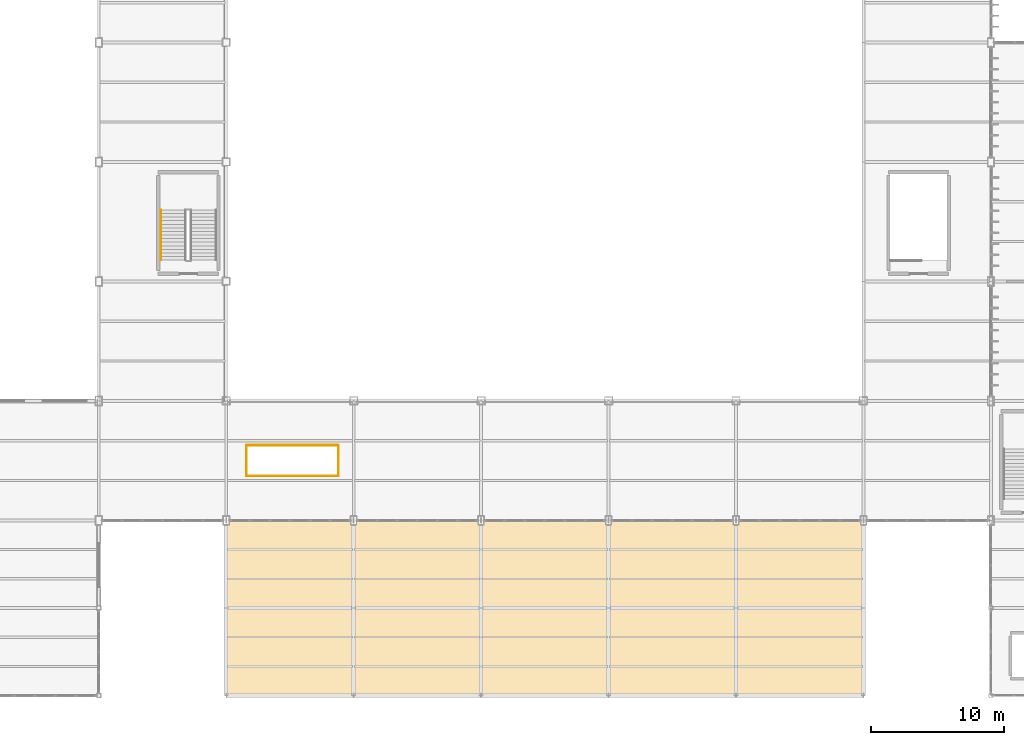
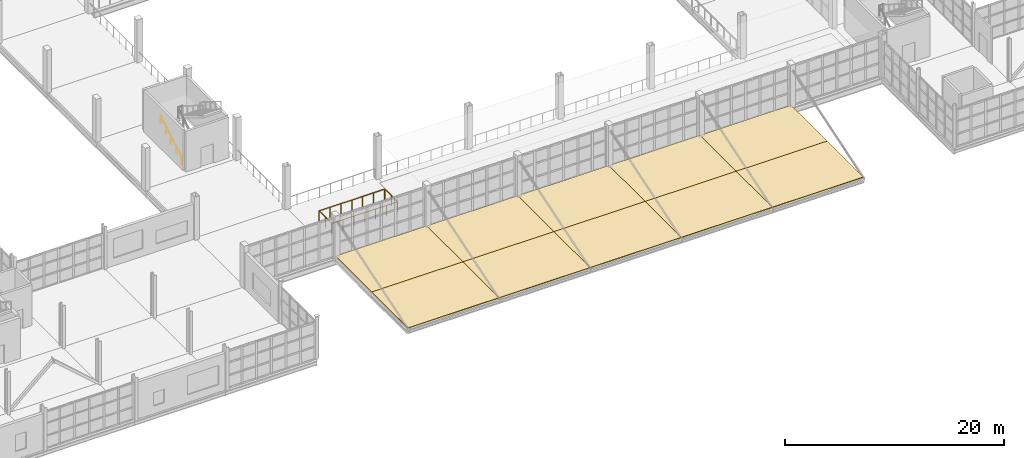
# One storey, part 115 of 120: 10 coverings, 3 railings, 1 element without a shape of its own.
"""IFC4 building model written with IfcOpenShell, lengths in metres."""

from ifc_helpers import new_model, si_unit, direction, frame, origin, origin_2d, place, context, subcontext, project, spatial, polyline, circle, outline, extrude, material, layer, layer_set, type_object, element, aggregate, save


model = new_model("IFC4")

# Units and contexts
model_context = context("Model", 3, precision=1e-05, world=origin(), true_north=direction((0.0, 1.0)))
body_context = subcontext(model_context, "Body", "Model", "MODEL_VIEW")
ifc_project = project(units=[si_unit("LENGTHUNIT", "METRE"), si_unit("AREAUNIT", "SQUARE_METRE"), si_unit("VOLUMEUNIT", "CUBIC_METRE"), si_unit("PLANEANGLEUNIT", "RADIAN"), si_unit("MASSUNIT", "GRAM", prefix="KILO")], contexts=[model_context])

# Site, building, storey
site_placement = place(None, origin())
site = spatial("IfcSite", under=ifc_project, at=site_placement, CompositionType="ELEMENT")
building_placement = place(site_placement, origin())
building = spatial("IfcBuilding", under=site, at=building_placement, Name="Zarnetskaya Central Station", CompositionType="ELEMENT")
storey_placement = place(building_placement, frame((0.0, 0.0, 5.39990234375)))
storey = spatial("IfcBuildingStorey", under=building, at=storey_placement, Name="L01", CompositionType="ELEMENT", Elevation=5.39990234375)

# Roof, coverings
ifc_material_1 = material(Name="Concrete C30/37", Category="concrete")
roof_type = type_object("IfcRoofType", Name="RF-ASSY-FLAT", PredefinedType="FLAT_ROOF", material=ifc_material_1)
roof_placement = place(storey_placement, origin())
roof = element("IfcRoof", 1, at=roof_placement, inside=storey, type_object=roof_type, Name="Forecourt entry canopy roof", PredefinedType="FLAT_ROOF")
ifc_material_2 = material(Name="Standing-seam zinc roof cladding")
ifc_layer = layer(ifc_material_2, 0.06494140625, Name="Standing-seam zinc roof cladding")
ifc_layer_set = layer_set([ifc_layer], Name="Standing-seam zinc roof cladding")
covering_type = type_object("IfcCoveringType", Name="COV-ZINC-ROOF", PredefinedType="ROOFING", material=ifc_layer_set)
covering_1_placement = place(storey_placement, origin())
covering_1 = element("IfcCovering", 2, at=covering_1_placement, type_object=covering_type, Name="Forecourt canopy standing-seam roofing H-J", PredefinedType="ROOFING", context=body_context, shape_type="SweptSolid", body=[
    extrude(outline(polyline([(67.199951171875, 0.0), (76.800048828125, 0.0), (76.800048828125, 6.60009765625), (67.199951171875, 6.60009765625), (67.199951171875, 0.0)])), origin(), (0.0, 0.0, 1.0), 0.065185546875),
])
covering_2_placement = place(storey_placement, origin())
covering_2 = element("IfcCovering", 3, at=covering_2_placement, type_object=covering_type, Name="Forecourt canopy standing-seam roofing H-J", PredefinedType="ROOFING", context=body_context, shape_type="SweptSolid", body=[
    extrude(outline(polyline([(67.199951171875, 6.60009765625), (76.800048828125, 6.60009765625), (76.800048828125, 13.199951171875), (67.199951171875, 13.199951171875), (67.199951171875, 6.60009765625)])), origin(), (0.0, 0.0, 1.0), 0.065185546875),
])
covering_3_placement = place(storey_placement, origin())
covering_3 = element("IfcCovering", 4, at=covering_3_placement, type_object=covering_type, Name="Forecourt canopy standing-seam roofing J-K", PredefinedType="ROOFING", context=body_context, shape_type="SweptSolid", body=[
    extrude(outline(polyline([(76.800048828125, 0.0), (86.39990234375, 0.0), (86.39990234375, 6.60009765625), (76.800048828125, 6.60009765625), (76.800048828125, 0.0)])), origin(), (0.0, 0.0, 1.0), 0.065185546875),
])
covering_4_placement = place(storey_placement, origin())
covering_4 = element("IfcCovering", 5, at=covering_4_placement, type_object=covering_type, Name="Forecourt canopy standing-seam roofing J-K", PredefinedType="ROOFING", context=body_context, shape_type="SweptSolid", body=[
    extrude(outline(polyline([(76.800048828125, 6.60009765625), (86.39990234375, 6.60009765625), (86.39990234375, 13.199951171875), (76.800048828125, 13.199951171875), (76.800048828125, 6.60009765625)])), origin(), (0.0, 0.0, 1.0), 0.065185546875),
])
covering_5_placement = place(storey_placement, origin())
covering_5 = element("IfcCovering", 6, at=covering_5_placement, type_object=covering_type, Name="Forecourt canopy standing-seam roofing K-L", PredefinedType="ROOFING", context=body_context, shape_type="SweptSolid", body=[
    extrude(outline(polyline([(86.39990234375, 0.0), (96.0, 0.0), (96.0, 6.60009765625), (86.39990234375, 6.60009765625), (86.39990234375, 0.0)])), origin(), (0.0, 0.0, 1.0), 0.065185546875),
])
covering_6_placement = place(storey_placement, origin())
covering_6 = element("IfcCovering", 7, at=covering_6_placement, type_object=covering_type, Name="Forecourt canopy standing-seam roofing K-L", PredefinedType="ROOFING", context=body_context, shape_type="SweptSolid", body=[
    extrude(outline(polyline([(86.39990234375, 6.60009765625), (96.0, 6.60009765625), (96.0, 13.199951171875), (86.39990234375, 13.199951171875), (86.39990234375, 6.60009765625)])), origin(), (0.0, 0.0, 1.0), 0.065185546875),
])
covering_7_placement = place(storey_placement, origin())
covering_7 = element("IfcCovering", 8, at=covering_7_placement, type_object=covering_type, Name="Forecourt canopy standing-seam roofing L-M", PredefinedType="ROOFING", context=body_context, shape_type="SweptSolid", body=[
    extrude(outline(polyline([(96.0, 0.0), (105.60009765625, 0.0), (105.60009765625, 6.60009765625), (96.0, 6.60009765625), (96.0, 0.0)])), origin(), (0.0, 0.0, 1.0), 0.065185546875),
])
covering_8_placement = place(storey_placement, origin())
covering_8 = element("IfcCovering", 9, at=covering_8_placement, type_object=covering_type, Name="Forecourt canopy standing-seam roofing L-M", PredefinedType="ROOFING", context=body_context, shape_type="SweptSolid", body=[
    extrude(outline(polyline([(96.0, 6.60009765625), (105.60009765625, 6.60009765625), (105.60009765625, 13.199951171875), (96.0, 13.199951171875), (96.0, 6.60009765625)])), origin(), (0.0, 0.0, 1.0), 0.065185546875),
])
covering_9_placement = place(storey_placement, origin())
covering_9 = element("IfcCovering", 10, at=covering_9_placement, type_object=covering_type, Name="Forecourt canopy standing-seam roofing M-N", PredefinedType="ROOFING", context=body_context, shape_type="SweptSolid", body=[
    extrude(outline(polyline([(105.60009765625, 0.0), (115.199951171875, 0.0), (115.199951171875, 6.60009765625), (105.60009765625, 6.60009765625), (105.60009765625, 0.0)])), origin(), (0.0, 0.0, 1.0), 0.065185546875),
])
covering_10_placement = place(storey_placement, origin())
covering_10 = element("IfcCovering", 11, at=covering_10_placement, type_object=covering_type, Name="Forecourt canopy standing-seam roofing M-N", PredefinedType="ROOFING", context=body_context, shape_type="SweptSolid", body=[
    extrude(outline(polyline([(105.60009765625, 6.60009765625), (115.199951171875, 6.60009765625), (115.199951171875, 13.199951171875), (105.60009765625, 13.199951171875), (105.60009765625, 6.60009765625)])), origin(), (0.0, 0.0, 1.0), 0.065185546875),
])
aggregate(roof, [covering_1, covering_2, covering_3, covering_4, covering_5, covering_6, covering_7, covering_8, covering_9, covering_10])

# Railings
ifc_material_3 = material(Name="Anodised aluminium", Category="aluminium")
railing_type_1 = type_object("IfcRailingType", Name="RAIL-BAL-1150", PredefinedType="BALUSTRADE", material=ifc_material_3)
railing_1_placement = place(storey_placement, frame((68.739990234375, 16.5400390625, 0.0)))
element("IfcRailing", 12, at=railing_1_placement, inside=storey, type_object=railing_type_1, Name="Protective deck balustrade GRD-14", PredefinedType="BALUSTRADE", context=body_context, shape_type="SweptSolid", body=[
    extrude(circle(Radius=0.02392578125, at=origin_2d()), frame((0.0, 0.0, 1.1259765625), z_axis=(1.0, 0.0, 0.0), x_axis=(0.0, 1.0, 0.0)), (0.0, 0.0, 1.0), 6.919921875),
    extrude(circle(Radius=0.02392578125, at=origin_2d()), frame((6.919921875, 0.0, 1.1259765625), z_axis=(0.0, 1.0, 0.0), x_axis=(-1.0, 0.0, 0.0)), (0.0, 0.0, 1.0), 2.280029296875),
    extrude(circle(Radius=0.02099609375, at=origin_2d()), origin(), (0.0, 0.0, 1.0), 1.101806640625),
    extrude(circle(Radius=0.02099609375, at=origin_2d()), frame((1.1533203125, 0.0, 0.0)), (0.0, 0.0, 1.0), 1.101806640625),
    extrude(circle(Radius=0.02099609375, at=origin_2d()), frame((2.306640625, 0.0, 0.0)), (0.0, 0.0, 1.0), 1.101806640625),
    extrude(circle(Radius=0.02099609375, at=origin_2d()), frame((3.4599609375, 0.0, 0.0)), (0.0, 0.0, 1.0), 1.101806640625),
    extrude(circle(Radius=0.02099609375, at=origin_2d()), frame((4.61328125, 0.0, 0.0)), (0.0, 0.0, 1.0), 1.101806640625),
    extrude(circle(Radius=0.02099609375, at=origin_2d()), frame((5.7666015625, 0.0, 0.0)), (0.0, 0.0, 1.0), 1.101806640625),
    extrude(circle(Radius=0.02099609375, at=origin_2d()), frame((6.919921875, 0.0, 0.0)), (0.0, 0.0, 1.0), 1.101806640625),
    extrude(circle(Radius=0.02099609375, at=origin_2d()), frame((6.919921875, 1.14013671875, 0.0)), (0.0, 0.0, 1.0), 1.101806640625),
    extrude(circle(Radius=0.02099609375, at=origin_2d()), frame((6.919921875, 2.280029296875, 0.0)), (0.0, 0.0, 1.0), 1.101806640625),
])
railing_2_placement = place(storey_placement, frame((75.6201171875, 18.860107421875, 0.0)))
element("IfcRailing", 13, at=railing_2_placement, inside=storey, type_object=railing_type_1, Name="Protective deck balustrade GRD-15", PredefinedType="BALUSTRADE", context=body_context, shape_type="SweptSolid", body=[
    extrude(circle(Radius=0.02392578125, at=origin_2d()), frame((0.0, 0.0, 1.1259765625), z_axis=(-1.0, 0.0, 0.0), x_axis=(0.0, -1.0, 0.0)), (0.0, 0.0, 1.0), 6.880126953125),
    extrude(circle(Radius=0.02392578125, at=origin_2d()), frame((-6.880126953125, 0.0, 1.1259765625), z_axis=(0.0, -1.0, 0.0), x_axis=(1.0, 0.0, 0.0)), (0.0, 0.0, 1.0), 2.280029296875),
    extrude(circle(Radius=0.02099609375, at=origin_2d()), origin(), (0.0, 0.0, 1.0), 1.101806640625),
    extrude(circle(Radius=0.02099609375, at=origin_2d()), frame((-1.146728515625, 0.0, 0.0)), (0.0, 0.0, 1.0), 1.101806640625),
    extrude(circle(Radius=0.02099609375, at=origin_2d()), frame((-2.29345703125, 0.0, 0.0)), (0.0, 0.0, 1.0), 1.101806640625),
    extrude(circle(Radius=0.02099609375, at=origin_2d()), frame((-3.43994140625, 0.0, 0.0)), (0.0, 0.0, 1.0), 1.101806640625),
    extrude(circle(Radius=0.02099609375, at=origin_2d()), frame((-4.586669921875, 0.0, 0.0)), (0.0, 0.0, 1.0), 1.101806640625),
    extrude(circle(Radius=0.02099609375, at=origin_2d()), frame((-5.7333984375, 0.0, 0.0)), (0.0, 0.0, 1.0), 1.101806640625),
    extrude(circle(Radius=0.02099609375, at=origin_2d()), frame((-6.880126953125, 0.0, 0.0)), (0.0, 0.0, 1.0), 1.101806640625),
    extrude(circle(Radius=0.02099609375, at=origin_2d()), frame((-6.880126953125, -1.14013671875, 0.0)), (0.0, 0.0, 1.0), 1.101806640625),
    extrude(circle(Radius=0.02099609375, at=origin_2d()), frame((-6.880126953125, -2.280029296875, 0.0)), (0.0, 0.0, 1.0), 1.101806640625),
])
ifc_material_4 = material(Name="Steel S355", Category="steel")
railing_type_2 = type_object("IfcRailingType", Name="RAIL-HAND-900", PredefinedType="HANDRAIL", material=ifc_material_4)
railing_3_placement = place(storey_placement, frame((62.280029296875, 32.800048828125, 0.16015625)))
element("IfcRailing", 14, at=railing_3_placement, inside=storey, type_object=railing_type_2, Name="Stair ST-H1 L01 flight 1 handrail", PredefinedType="HANDRAIL", context=body_context, shape_type="SweptSolid", body=[
    extrude(circle(Radius=0.02392578125, at=origin_2d()), frame((0.0, 0.0, 0.8759765625), z_axis=(0.0, 0.860294241299, 0.509797821089), x_axis=(-1.0, 0.0, 0.0)), (0.0, 0.0, 1.0), 4.393798828125),
    extrude(circle(Radius=0.02099609375, at=origin_2d()), origin(), (0.0, 0.0, 1.0), 0.851806640625),
    extrude(circle(Radius=0.02099609375, at=origin_2d()), frame((0.0, 0.945068359375, 0.56005859375)), (0.0, 0.0, 1.0), 0.851806640625),
    extrude(circle(Radius=0.02099609375, at=origin_2d()), frame((0.0, 1.89013671875, 1.1201171875)), (0.0, 0.0, 1.0), 0.851806640625),
    extrude(circle(Radius=0.02099609375, at=origin_2d()), frame((0.0, 2.8349609375, 1.679931640625)), (0.0, 0.0, 1.0), 0.851806640625),
    extrude(circle(Radius=0.02099609375, at=origin_2d()), frame((0.0, 3.780029296875, 2.239990234375)), (0.0, 0.0, 1.0), 0.851806640625),
])

save(model, "model.ifc")
